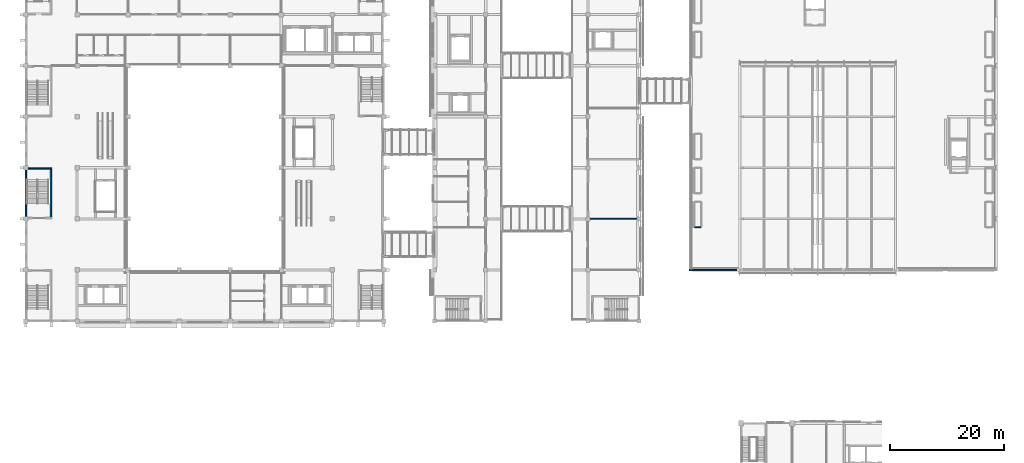
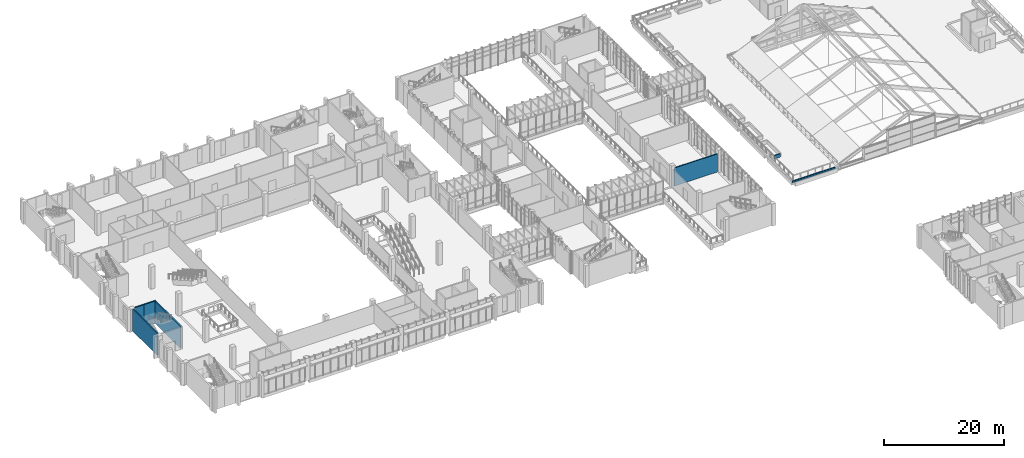
# One storey, part 71 of 106: 7 walls.
"""IFC4 building model written with IfcOpenShell, lengths in metres."""

from ifc_helpers import new_model, si_unit, direction, frame, frame_2d, origin, place, context, subcontext, project, spatial, rectangle, extrude, material, layer, layer_set, type_object, element, save


model = new_model("IFC4")

# Units and contexts
model_context = context("Model", 3, precision=1e-05, world=origin(), true_north=direction((0.0, 1.0)))
body_context = subcontext(model_context, "Body", "Model", "MODEL_VIEW")
ifc_project = project(units=[si_unit("LENGTHUNIT", "METRE"), si_unit("AREAUNIT", "SQUARE_METRE"), si_unit("VOLUMEUNIT", "CUBIC_METRE"), si_unit("PLANEANGLEUNIT", "RADIAN"), si_unit("MASSUNIT", "GRAM", prefix="KILO")], contexts=[model_context])

# Site, building, storey
site_placement = place(None, origin())
site = spatial("IfcSite", under=ifc_project, at=site_placement, CompositionType="ELEMENT")
building_placement = place(site_placement, origin())
building = spatial("IfcBuilding", under=site, at=building_placement, Name="Guidao Yard Department Store", CompositionType="ELEMENT")
storey_placement = place(building_placement, frame((0.0, 0.0, 10.5)))
storey = spatial("IfcBuildingStorey", under=building, at=storey_placement, Name="L02", CompositionType="ELEMENT", Elevation=10.5)

# Walls
ifc_material_1 = material(Name="Concrete C30", Category="concrete")
ifc_layer_1 = layer(ifc_material_1, 0.199951171875)
ifc_layer_set_1 = layer_set([ifc_layer_1], Name="Planter wall 200 C30")
wall_type_1 = type_object("IfcWallType", Name="Planter wall 200 C30", PredefinedType="USERDEFINED", material=ifc_layer_set_1)
wall_1_placement = place(storey_placement, frame((117.800048828125, 61.5, 0.0), z_axis=(0.0, 0.0, 1.0), x_axis=(1.0, 0.0, 0.0)))
element("IfcWall", 1, at=wall_1_placement, inside=storey, type_object=wall_type_1, Name="Planter wall", ObjectType="PLANTER", PredefinedType="USERDEFINED", context=body_context, shape_type="SweptSolid", body=[
    extrude(rectangle(XDim=1.099853515625, YDim=0.199951171875, at=frame_2d((0.5498046875, 0.0))), origin(), (0.0, 0.0, 1.0), 0.699951171875),
])
ifc_material_2 = material(Name="Concrete C30", Category="concrete")
ifc_layer_2 = layer(ifc_material_2, 0.199951171875)
ifc_layer_set_2 = layer_set([ifc_layer_2], Name="Roof edge kerb 200 C30")
wall_type_2 = type_object("IfcWallType", Name="Roof edge kerb 200 C30", PredefinedType="PARAPET", material=ifc_layer_set_2)
wall_2_placement = place(storey_placement, frame((116.89990234375, 54.0, 0.0), z_axis=(0.0, 0.0, 1.0), x_axis=(1.0, 0.0, 0.0)))
element("IfcWall", 2, at=wall_2_placement, inside=storey, type_object=wall_type_2, Name="Roof edge kerb", PredefinedType="PARAPET", context=body_context, shape_type="SweptSolid", body=[
    extrude(rectangle(XDim=8.300048828125, YDim=0.199951171875, at=frame_2d((4.14990234375, 0.0))), origin(), (0.0, 0.0, 1.0), 0.300048828125),
])
ifc_material_3 = material(Name="Concrete block MU10", Category="concrete")
ifc_layer_3 = layer(ifc_material_3, 0.199951171875)
ifc_layer_set_3 = layer_set([ifc_layer_3], Name="Shopfront Wall P4 200 mm blockwork EI 60")
wall_type_3 = type_object("IfcWallType", Name="Shopfront Wall P4 200 mm blockwork EI 60", PredefinedType="PARTITIONING", material=ifc_layer_set_3)
wall_3_placement = place(storey_placement, frame((99.35009765625, 63.0, 0.0), z_axis=(0.0, 0.0, 1.0), x_axis=(1.0, 0.0, 0.0)))
element("IfcWall", 3, at=wall_3_placement, inside=storey, type_object=wall_type_3, Name="Wall W-AL02-007", PredefinedType="PARTITIONING", context=body_context, shape_type="SweptSolid", body=[
    extrude(rectangle(XDim=8.2998046875, YDim=0.199951171875, at=frame_2d((4.14990234375, 0.0))), origin(), (0.0, 0.0, 1.0), 3.699951171875),
])
ifc_material_4 = material(Name="Concrete C40", Category="concrete")
ifc_layer_4 = layer(ifc_material_4, 0.25)
ifc_layer_set_4 = layer_set([ifc_layer_4], Name="Wall RC 250 C40 stair and shaft")
wall_type_4 = type_object("IfcWallType", Name="Wall RC 250 C40 stair and shaft", PredefinedType="SHEAR", material=ifc_layer_set_4)
wall_4_placement = place(storey_placement, frame((0.39990234375, 71.875, 0.0), z_axis=(0.0, 0.0, 1.0), x_axis=(1.0, 0.0, 0.0)))
element("IfcWall", 4, at=wall_4_placement, inside=storey, type_object=wall_type_4, Name="Stair wall SA1", PredefinedType="SHEAR", context=body_context, shape_type="SweptSolid", body=[
    extrude(rectangle(XDim=1.7880859375, YDim=0.25, at=frame_2d((0.89404296875, 0.0))), origin(), (0.0, 0.0, 1.0), 4.5),
])
wall_5_placement = place(storey_placement, frame((2.18798828125, 71.875, 0.0), z_axis=(0.0, 0.0, 1.0), x_axis=(1.0, 0.0, 0.0)))
element("IfcWall", 5, at=wall_5_placement, inside=storey, type_object=wall_type_4, Name="Stair wall SA1", PredefinedType="SHEAR", context=body_context, shape_type="SweptSolid", body=[
    extrude(rectangle(XDim=2.31201171875, YDim=0.25, at=frame_2d((1.156005859375, 0.0))), origin(), (0.0, 0.0, 1.0), 4.5),
])
wall_6_placement = place(storey_placement, frame((0.0, 63.39990234375, 0.0), z_axis=(0.0, 0.0, 1.0), x_axis=(0.0, 1.0, 0.0)))
element("IfcWall", 6, at=wall_6_placement, inside=storey, type_object=wall_type_4, Name="Stair wall SA1", PredefinedType="SHEAR", context=body_context, shape_type="SweptSolid", body=[
    extrude(rectangle(XDim=8.2001953125, YDim=0.25, at=frame_2d((4.10009765625, 0.0))), origin(), (0.0, 0.0, 1.0), 4.5),
])
wall_7_placement = place(storey_placement, frame((4.375, 63.25, 0.0), z_axis=(0.0, 0.0, 1.0), x_axis=(0.0, 1.0, 0.0)))
element("IfcWall", 7, at=wall_7_placement, inside=storey, type_object=wall_type_4, Name="Stair wall SA1", PredefinedType="SHEAR", context=body_context, shape_type="SweptSolid", body=[
    extrude(rectangle(XDim=8.5, YDim=0.25, at=frame_2d((4.25, 0.0))), origin(), (0.0, 0.0, 1.0), 4.5),
])

save(model, "model.ifc")
